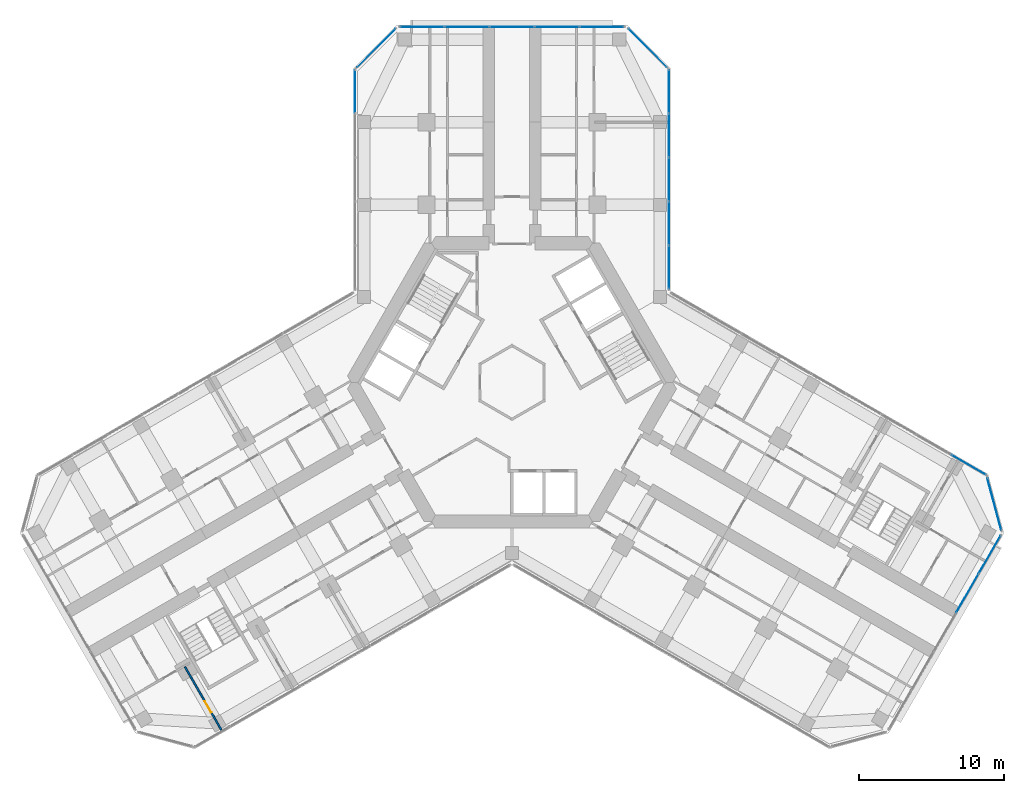
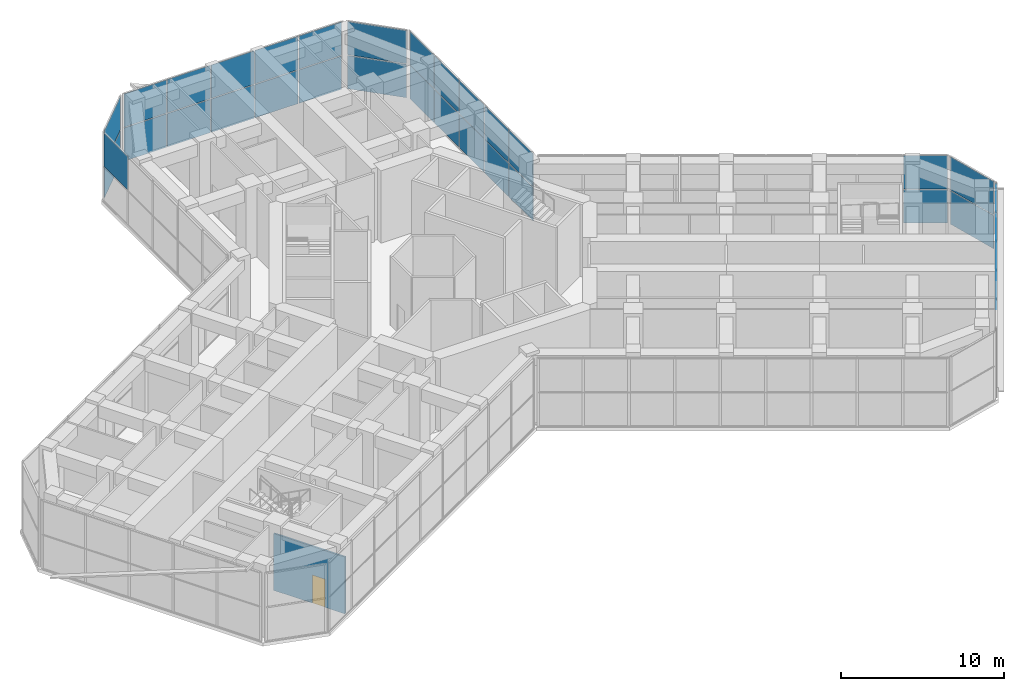
# One storey, part 13 of 20: 33 plates, 1 door, 1 wall, 1 opening, 8 elements without a shape of their own.
"""IFC4 building model written with IfcOpenShell, lengths in metres."""

from ifc_helpers import new_model, si_unit, direction, frame, frame_2d, origin, origin_2d, place, context, subcontext, project, spatial, rectangle, extrude, material, layer, layer_set, type_object, element, fill, aggregate, save


model = new_model("IFC4")

# Units and contexts
model_context = context("Model", 3, precision=1e-05, world=origin(), true_north=direction((0.0, 1.0)))
body_context = subcontext(model_context, "Body", "Model", "MODEL_VIEW")
ifc_project = project(units=[si_unit("LENGTHUNIT", "METRE"), si_unit("AREAUNIT", "SQUARE_METRE"), si_unit("VOLUMEUNIT", "CUBIC_METRE"), si_unit("PLANEANGLEUNIT", "RADIAN"), si_unit("MASSUNIT", "GRAM", prefix="KILO")], contexts=[model_context])

# Site, building, storey
site_placement = place(None, origin())
site = spatial("IfcSite", under=ifc_project, at=site_placement, CompositionType="ELEMENT")
building_placement = place(site_placement, origin())
building = spatial("IfcBuilding", under=site, at=building_placement, Name="Kosmar Iwan School Tower", CompositionType="ELEMENT")
storey_placement = place(building_placement, frame((0.0, 0.0, 152.60009765625)))
storey = spatial("IfcBuildingStorey", under=building, at=storey_placement, Name="L38", CompositionType="ELEMENT", Elevation=152.60009765625)

# Curtain wall, plates
ifc_material_1 = material(Name="Dark glass in black aluminium frame", Category="aluminium")
curtain_wall_type_1 = type_object("IfcCurtainWallType", Name="Tower curtain wall dark glass", PredefinedType="USERDEFINED", material=ifc_material_1)
curtain_wall_1_placement = place(storey_placement, origin())
curtain_wall_1 = element("IfcCurtainWall", 1, at=curtain_wall_1_placement, inside=storey, type_object=curtain_wall_type_1, Name="Curtain wall L38-F03", ObjectType="UNITISED CURTAIN WALL", PredefinedType="USERDEFINED")
ifc_material_2 = material(Name="Dark glass", Category="glass")
ifc_layer_1 = layer(ifc_material_2, 0.028076171875)
ifc_layer_set_1 = layer_set([ifc_layer_1], Name="Dark glass panel 28")
plate_type = type_object("IfcPlateType", Name="Dark glass panel 28", PredefinedType="CURTAIN_PANEL", material=ifc_layer_set_1)
plate_1_placement = place(storey_placement, frame((31.40576171875, -14.553466796875, 0.06005859375), z_axis=(0.0, 0.0, 1.0), x_axis=(0.499999997325, 0.866025405329, 0.0)))
plate_1 = element("IfcPlate", 2, at=plate_1_placement, type_object=plate_type, Name="CW1 panel 4.1", PredefinedType="CURTAIN_PANEL", context=body_context, shape_type="SweptSolid", body=[
    extrude(rectangle(XDim=3.039306640625, YDim=0.028076171875, at=origin_2d()), origin(), (0.0, 0.0, 1.0), 2.485107421875),
])
plate_2_placement = place(storey_placement, frame((31.40576171875, -14.553466796875, 2.60498046875), z_axis=(0.0, 0.0, 1.0), x_axis=(0.499999997325, 0.866025405329, 0.0)))
plate_2 = element("IfcPlate", 3, at=plate_2_placement, type_object=plate_type, Name="CW1 panel 4.2", PredefinedType="CURTAIN_PANEL", context=body_context, shape_type="SweptSolid", body=[
    extrude(rectangle(XDim=3.039306640625, YDim=0.028076171875, at=origin_2d()), origin(), (0.0, 0.0, 1.0), 2.485107421875),
])
plate_3_placement = place(storey_placement, frame((32.947998046875, -11.88232421875, 0.06005859375), z_axis=(0.0, 0.0, 1.0), x_axis=(0.499999997325, 0.866025405329, 0.0)))
plate_3 = element("IfcPlate", 4, at=plate_3_placement, type_object=plate_type, Name="CW1 panel 5.1", PredefinedType="CURTAIN_PANEL", context=body_context, shape_type="SweptSolid", body=[
    extrude(rectangle(XDim=3.00927734375, YDim=0.028076171875, at=origin_2d()), origin(), (0.0, 0.0, 1.0), 2.485107421875),
])
plate_4_placement = place(storey_placement, frame((32.947998046875, -11.88232421875, 2.60498046875), z_axis=(0.0, 0.0, 1.0), x_axis=(0.499999997325, 0.866025405329, 0.0)))
plate_4 = element("IfcPlate", 5, at=plate_4_placement, type_object=plate_type, Name="CW1 panel 5.2", PredefinedType="CURTAIN_PANEL", context=body_context, shape_type="SweptSolid", body=[
    extrude(rectangle(XDim=3.00927734375, YDim=0.028076171875, at=origin_2d()), origin(), (0.0, 0.0, 1.0), 2.485107421875),
])
aggregate(curtain_wall_1, [plate_1, plate_2, plate_3, plate_4])

ifc_material_3 = material(Name="Dark glass in black aluminium frame", Category="aluminium")
curtain_wall_type_2 = type_object("IfcCurtainWallType", Name="Chamfer curtain wall dark glass", PredefinedType="USERDEFINED", material=ifc_material_3)
curtain_wall_2_placement = place(storey_placement, origin())
curtain_wall_2 = element("IfcCurtainWall", 6, at=curtain_wall_2_placement, inside=storey, type_object=curtain_wall_type_2, Name="Curtain wall L38-F04", ObjectType="FACETED CURTAIN WALL", PredefinedType="USERDEFINED")
plate_5_placement = place(storey_placement, frame((33.269775390625, -8.3984375, 0.06005859375), z_axis=(0.0, 0.0, 1.0), x_axis=(-0.258818861462, 0.965925875495, 0.0)))
plate_5 = element("IfcPlate", 7, at=plate_5_placement, type_object=plate_type, Name="CW2 panel 1.1", PredefinedType="CURTAIN_PANEL", context=body_context, shape_type="SweptSolid", body=[
    extrude(rectangle(XDim=3.718994140625, YDim=0.028076171875, at=origin_2d()), origin(), (0.0, 0.0, 1.0), 2.485107421875),
])
plate_6_placement = place(storey_placement, frame((33.269775390625, -8.3984375, 2.60498046875), z_axis=(0.0, 0.0, 1.0), x_axis=(-0.258818861462, 0.965925875495, 0.0)))
plate_6 = element("IfcPlate", 8, at=plate_6_placement, type_object=plate_type, Name="CW2 panel 1.2", PredefinedType="CURTAIN_PANEL", context=body_context, shape_type="SweptSolid", body=[
    extrude(rectangle(XDim=3.718994140625, YDim=0.028076171875, at=origin_2d()), origin(), (0.0, 0.0, 1.0), 2.485107421875),
])
aggregate(curtain_wall_2, [plate_5, plate_6])

ifc_material_4 = material(Name="Dark glass in black aluminium frame", Category="aluminium")
curtain_wall_type_3 = type_object("IfcCurtainWallType", Name="Winter garden curtain wall", PredefinedType="USERDEFINED", material=ifc_material_4)
curtain_wall_3_placement = place(storey_placement, origin())
curtain_wall_3 = element("IfcCurtainWall", 9, at=curtain_wall_3_placement, inside=storey, type_object=curtain_wall_type_3, Name="Curtain wall L38-F05", ObjectType="WINTER GARDEN CURTAIN WALL", PredefinedType="USERDEFINED")
plate_7_placement = place(storey_placement, frame((31.511474609375, -5.693603515625, 0.06005859375), z_axis=(0.0, 0.0, 1.0), x_axis=(0.866025395189, -0.500000014888, 0.0)))
plate_7 = element("IfcPlate", 10, at=plate_7_placement, type_object=plate_type, Name="CW7 panel 9.1", PredefinedType="CURTAIN_PANEL", context=body_context, shape_type="SweptSolid", body=[
    extrude(rectangle(XDim=2.703369140625, YDim=0.028076171875, at=origin_2d()), origin(), (0.0, 0.0, 1.0), 2.485107421875),
])
plate_8_placement = place(storey_placement, frame((31.511474609375, -5.693603515625, 2.60498046875), z_axis=(0.0, 0.0, 1.0), x_axis=(0.866025395189, -0.500000014888, 0.0)))
plate_8 = element("IfcPlate", 11, at=plate_8_placement, type_object=plate_type, Name="CW7 panel 9.2", PredefinedType="CURTAIN_PANEL", context=body_context, shape_type="SweptSolid", body=[
    extrude(rectangle(XDim=2.703369140625, YDim=0.028076171875, at=origin_2d()), origin(), (0.0, 0.0, 1.0), 2.485107421875),
])
aggregate(curtain_wall_3, [plate_7, plate_8])

curtain_wall_4_placement = place(storey_placement, origin())
curtain_wall_4 = element("IfcCurtainWall", 12, at=curtain_wall_4_placement, inside=storey, type_object=curtain_wall_type_3, Name="Curtain wall L38-F06", ObjectType="WINTER GARDEN CURTAIN WALL", PredefinedType="USERDEFINED")
plate_9_placement = place(storey_placement, frame((10.824951171875, 7.94287109375, 0.06005859375), z_axis=(0.0, 0.0, 1.0), x_axis=(0.0, 1.0, 0.0)))
plate_9 = element("IfcPlate", 13, at=plate_9_placement, type_object=plate_type, Name="CW7 panel 1.1", PredefinedType="CURTAIN_PANEL", context=body_context, shape_type="SweptSolid", body=[
    extrude(rectangle(XDim=2.94775390625, YDim=0.028076171875, at=origin_2d()), origin(), (0.0, 0.0, 1.0), 2.485107421875),
])
plate_10_placement = place(storey_placement, frame((10.824951171875, 7.94287109375, 2.60498046875), z_axis=(0.0, 0.0, 1.0), x_axis=(0.0, 1.0, 0.0)))
plate_10 = element("IfcPlate", 14, at=plate_10_placement, type_object=plate_type, Name="CW7 panel 1.2", PredefinedType="CURTAIN_PANEL", context=body_context, shape_type="SweptSolid", body=[
    extrude(rectangle(XDim=2.94775390625, YDim=0.028076171875, at=origin_2d()), origin(), (0.0, 0.0, 1.0), 2.485107421875),
])
plate_11_placement = place(storey_placement, frame((10.824951171875, 10.9658203125, 0.06005859375), z_axis=(0.0, 0.0, 1.0), x_axis=(0.0, 1.0, 0.0)))
plate_11 = element("IfcPlate", 15, at=plate_11_placement, type_object=plate_type, Name="CW7 panel 2.1", PredefinedType="CURTAIN_PANEL", context=body_context, shape_type="SweptSolid", body=[
    extrude(rectangle(XDim=2.977783203125, YDim=0.028076171875, at=origin_2d()), origin(), (0.0, 0.0, 1.0), 2.485107421875),
])
plate_12_placement = place(storey_placement, frame((10.824951171875, 10.9658203125, 2.60498046875), z_axis=(0.0, 0.0, 1.0), x_axis=(0.0, 1.0, 0.0)))
plate_12 = element("IfcPlate", 16, at=plate_12_placement, type_object=plate_type, Name="CW7 panel 2.2", PredefinedType="CURTAIN_PANEL", context=body_context, shape_type="SweptSolid", body=[
    extrude(rectangle(XDim=2.977783203125, YDim=0.028076171875, at=origin_2d()), origin(), (0.0, 0.0, 1.0), 2.485107421875),
])
plate_13_placement = place(storey_placement, frame((10.824951171875, 14.003662109375, 0.06005859375), z_axis=(0.0, 0.0, 1.0), x_axis=(0.0, 1.0, 0.0)))
plate_13 = element("IfcPlate", 17, at=plate_13_placement, type_object=plate_type, Name="CW7 panel 3.1", PredefinedType="CURTAIN_PANEL", context=body_context, shape_type="SweptSolid", body=[
    extrude(rectangle(XDim=2.977783203125, YDim=0.028076171875, at=origin_2d()), origin(), (0.0, 0.0, 1.0), 2.485107421875),
])
plate_14_placement = place(storey_placement, frame((10.824951171875, 14.003662109375, 2.60498046875), z_axis=(0.0, 0.0, 1.0), x_axis=(0.0, 1.0, 0.0)))
plate_14 = element("IfcPlate", 18, at=plate_14_placement, type_object=plate_type, Name="CW7 panel 3.2", PredefinedType="CURTAIN_PANEL", context=body_context, shape_type="SweptSolid", body=[
    extrude(rectangle(XDim=2.977783203125, YDim=0.028076171875, at=origin_2d()), origin(), (0.0, 0.0, 1.0), 2.485107421875),
])
plate_15_placement = place(storey_placement, frame((10.824951171875, 17.04150390625, 0.06005859375), z_axis=(0.0, 0.0, 1.0), x_axis=(0.0, 1.0, 0.0)))
plate_15 = element("IfcPlate", 19, at=plate_15_placement, type_object=plate_type, Name="CW7 panel 4.1", PredefinedType="CURTAIN_PANEL", context=body_context, shape_type="SweptSolid", body=[
    extrude(rectangle(XDim=2.977783203125, YDim=0.028076171875, at=origin_2d()), origin(), (0.0, 0.0, 1.0), 2.485107421875),
])
plate_16_placement = place(storey_placement, frame((10.824951171875, 17.04150390625, 2.60498046875), z_axis=(0.0, 0.0, 1.0), x_axis=(0.0, 1.0, 0.0)))
plate_16 = element("IfcPlate", 20, at=plate_16_placement, type_object=plate_type, Name="CW7 panel 4.2", PredefinedType="CURTAIN_PANEL", context=body_context, shape_type="SweptSolid", body=[
    extrude(rectangle(XDim=2.977783203125, YDim=0.028076171875, at=origin_2d()), origin(), (0.0, 0.0, 1.0), 2.485107421875),
])
plate_17_placement = place(storey_placement, frame((10.824951171875, 20.064208984375, 0.06005859375), z_axis=(0.0, 0.0, 1.0), x_axis=(0.0, 1.0, 0.0)))
plate_17 = element("IfcPlate", 21, at=plate_17_placement, type_object=plate_type, Name="CW7 panel 5.1", PredefinedType="CURTAIN_PANEL", context=body_context, shape_type="SweptSolid", body=[
    extrude(rectangle(XDim=2.94775390625, YDim=0.028076171875, at=origin_2d()), origin(), (0.0, 0.0, 1.0), 2.485107421875),
])
plate_18_placement = place(storey_placement, frame((10.824951171875, 20.064208984375, 2.60498046875), z_axis=(0.0, 0.0, 1.0), x_axis=(0.0, 1.0, 0.0)))
plate_18 = element("IfcPlate", 22, at=plate_18_placement, type_object=plate_type, Name="CW7 panel 5.2", PredefinedType="CURTAIN_PANEL", context=body_context, shape_type="SweptSolid", body=[
    extrude(rectangle(XDim=2.94775390625, YDim=0.028076171875, at=origin_2d()), origin(), (0.0, 0.0, 1.0), 2.485107421875),
])
aggregate(curtain_wall_4, [plate_9, plate_10, plate_11, plate_12, plate_13, plate_14, plate_15, plate_16, plate_17, plate_18])

curtain_wall_5_placement = place(storey_placement, origin())
curtain_wall_5 = element("IfcCurtainWall", 23, at=curtain_wall_5_placement, inside=storey, type_object=curtain_wall_type_2, Name="Curtain wall L38-F07", ObjectType="FACETED CURTAIN WALL", PredefinedType="USERDEFINED")
plate_19_placement = place(storey_placement, frame((9.361572265625, 23.0615234375, 0.06005859375), z_axis=(0.0, 0.0, 1.0), x_axis=(-0.707106781187, 0.707106781187, 0.0)))
plate_19 = element("IfcPlate", 24, at=plate_19_placement, type_object=plate_type, Name="CW2 panel 1.1", PredefinedType="CURTAIN_PANEL", context=body_context, shape_type="SweptSolid", body=[
    extrude(rectangle(XDim=3.718994140625, YDim=0.028076171875, at=origin_2d()), origin(), (0.0, 0.0, 1.0), 2.485107421875),
])
plate_20_placement = place(storey_placement, frame((9.361572265625, 23.0615234375, 2.60498046875), z_axis=(0.0, 0.0, 1.0), x_axis=(-0.707106781187, 0.707106781187, 0.0)))
plate_20 = element("IfcPlate", 25, at=plate_20_placement, type_object=plate_type, Name="CW2 panel 1.2", PredefinedType="CURTAIN_PANEL", context=body_context, shape_type="SweptSolid", body=[
    extrude(rectangle(XDim=3.718994140625, YDim=0.028076171875, at=origin_2d()), origin(), (0.0, 0.0, 1.0), 2.485107421875),
])
aggregate(curtain_wall_5, [plate_19, plate_20])

curtain_wall_6_placement = place(storey_placement, origin())
curtain_wall_6 = element("IfcCurtainWall", 26, at=curtain_wall_6_placement, inside=storey, type_object=curtain_wall_type_1, Name="Curtain wall L38-F08", ObjectType="UNITISED CURTAIN WALL", PredefinedType="USERDEFINED")
plate_21_placement = place(storey_placement, frame((6.18359375, 24.52490234375, 0.06005859375), z_axis=(0.0, 0.0, 1.0), x_axis=(-1.0, 0.0, 0.0)))
plate_21 = element("IfcPlate", 27, at=plate_21_placement, type_object=plate_type, Name="CW1 panel 1.1", PredefinedType="CURTAIN_PANEL", context=body_context, shape_type="SweptSolid", body=[
    extrude(rectangle(XDim=3.00927734375, YDim=0.028076171875, at=origin_2d()), origin(), (0.0, 0.0, 1.0), 2.485107421875),
])
plate_22_placement = place(storey_placement, frame((6.18359375, 24.52490234375, 2.60498046875), z_axis=(0.0, 0.0, 1.0), x_axis=(-1.0, 0.0, 0.0)))
plate_22 = element("IfcPlate", 28, at=plate_22_placement, type_object=plate_type, Name="CW1 panel 1.2", PredefinedType="CURTAIN_PANEL", context=body_context, shape_type="SweptSolid", body=[
    extrude(rectangle(XDim=3.00927734375, YDim=0.028076171875, at=origin_2d()), origin(), (0.0, 0.0, 1.0), 2.485107421875),
])
plate_23_placement = place(storey_placement, frame((3.099365234375, 24.52490234375, 0.06005859375), z_axis=(0.0, 0.0, 1.0), x_axis=(-1.0, 0.0, 0.0)))
plate_23 = element("IfcPlate", 29, at=plate_23_placement, type_object=plate_type, Name="CW1 panel 2.1", PredefinedType="CURTAIN_PANEL", context=body_context, shape_type="SweptSolid", body=[
    extrude(rectangle(XDim=3.039306640625, YDim=0.028076171875, at=origin_2d()), origin(), (0.0, 0.0, 1.0), 2.485107421875),
])
plate_24_placement = place(storey_placement, frame((3.099365234375, 24.52490234375, 2.60498046875), z_axis=(0.0, 0.0, 1.0), x_axis=(-1.0, 0.0, 0.0)))
plate_24 = element("IfcPlate", 30, at=plate_24_placement, type_object=plate_type, Name="CW1 panel 2.2", PredefinedType="CURTAIN_PANEL", context=body_context, shape_type="SweptSolid", body=[
    extrude(rectangle(XDim=3.039306640625, YDim=0.028076171875, at=origin_2d()), origin(), (0.0, 0.0, 1.0), 2.485107421875),
])
plate_25_placement = place(storey_placement, frame((0.0, 24.52490234375, 0.06005859375), z_axis=(0.0, 0.0, 1.0), x_axis=(-1.0, 0.0, 0.0)))
plate_25 = element("IfcPlate", 31, at=plate_25_placement, type_object=plate_type, Name="CW1 panel 3.1", PredefinedType="CURTAIN_PANEL", context=body_context, shape_type="SweptSolid", body=[
    extrude(rectangle(XDim=3.039306640625, YDim=0.028076171875, at=origin_2d()), origin(), (0.0, 0.0, 1.0), 2.485107421875),
])
plate_26_placement = place(storey_placement, frame((0.0, 24.52490234375, 2.60498046875), z_axis=(0.0, 0.0, 1.0), x_axis=(-1.0, 0.0, 0.0)))
plate_26 = element("IfcPlate", 32, at=plate_26_placement, type_object=plate_type, Name="CW1 panel 3.2", PredefinedType="CURTAIN_PANEL", context=body_context, shape_type="SweptSolid", body=[
    extrude(rectangle(XDim=3.039306640625, YDim=0.028076171875, at=origin_2d()), origin(), (0.0, 0.0, 1.0), 2.485107421875),
])
plate_27_placement = place(storey_placement, frame((-3.099365234375, 24.52490234375, 0.06005859375), z_axis=(0.0, 0.0, 1.0), x_axis=(-1.0, 0.0, 0.0)))
plate_27 = element("IfcPlate", 33, at=plate_27_placement, type_object=plate_type, Name="CW1 panel 4.1", PredefinedType="CURTAIN_PANEL", context=body_context, shape_type="SweptSolid", body=[
    extrude(rectangle(XDim=3.039306640625, YDim=0.028076171875, at=origin_2d()), origin(), (0.0, 0.0, 1.0), 2.485107421875),
])
plate_28_placement = place(storey_placement, frame((-3.099365234375, 24.52490234375, 2.60498046875), z_axis=(0.0, 0.0, 1.0), x_axis=(-1.0, 0.0, 0.0)))
plate_28 = element("IfcPlate", 34, at=plate_28_placement, type_object=plate_type, Name="CW1 panel 4.2", PredefinedType="CURTAIN_PANEL", context=body_context, shape_type="SweptSolid", body=[
    extrude(rectangle(XDim=3.039306640625, YDim=0.028076171875, at=origin_2d()), origin(), (0.0, 0.0, 1.0), 2.485107421875),
])
plate_29_placement = place(storey_placement, frame((-6.18359375, 24.52490234375, 0.06005859375), z_axis=(0.0, 0.0, 1.0), x_axis=(-1.0, 0.0, 0.0)))
plate_29 = element("IfcPlate", 35, at=plate_29_placement, type_object=plate_type, Name="CW1 panel 5.1", PredefinedType="CURTAIN_PANEL", context=body_context, shape_type="SweptSolid", body=[
    extrude(rectangle(XDim=3.00927734375, YDim=0.028076171875, at=origin_2d()), origin(), (0.0, 0.0, 1.0), 2.485107421875),
])
plate_30_placement = place(storey_placement, frame((-6.18359375, 24.52490234375, 2.60498046875), z_axis=(0.0, 0.0, 1.0), x_axis=(-1.0, 0.0, 0.0)))
plate_30 = element("IfcPlate", 36, at=plate_30_placement, type_object=plate_type, Name="CW1 panel 5.2", PredefinedType="CURTAIN_PANEL", context=body_context, shape_type="SweptSolid", body=[
    extrude(rectangle(XDim=3.00927734375, YDim=0.028076171875, at=origin_2d()), origin(), (0.0, 0.0, 1.0), 2.485107421875),
])
aggregate(curtain_wall_6, [plate_21, plate_22, plate_23, plate_24, plate_25, plate_26, plate_27, plate_28, plate_29, plate_30])

curtain_wall_7_placement = place(storey_placement, origin())
curtain_wall_7 = element("IfcCurtainWall", 37, at=curtain_wall_7_placement, inside=storey, type_object=curtain_wall_type_2, Name="Curtain wall L38-F09", ObjectType="FACETED CURTAIN WALL", PredefinedType="USERDEFINED")
plate_31_placement = place(storey_placement, frame((-9.361572265625, 23.0615234375, 0.06005859375), z_axis=(0.0, 0.0, 1.0), x_axis=(-0.707106781187, -0.707106781187, 0.0)))
plate_31 = element("IfcPlate", 38, at=plate_31_placement, type_object=plate_type, Name="CW2 panel 1.1", PredefinedType="CURTAIN_PANEL", context=body_context, shape_type="SweptSolid", body=[
    extrude(rectangle(XDim=3.718994140625, YDim=0.028076171875, at=origin_2d()), origin(), (0.0, 0.0, 1.0), 2.485107421875),
])
plate_32_placement = place(storey_placement, frame((-9.361572265625, 23.0615234375, 2.60498046875), z_axis=(0.0, 0.0, 1.0), x_axis=(-0.707106781187, -0.707106781187, 0.0)))
plate_32 = element("IfcPlate", 39, at=plate_32_placement, type_object=plate_type, Name="CW2 panel 1.2", PredefinedType="CURTAIN_PANEL", context=body_context, shape_type="SweptSolid", body=[
    extrude(rectangle(XDim=3.718994140625, YDim=0.028076171875, at=origin_2d()), origin(), (0.0, 0.0, 1.0), 2.485107421875),
])
aggregate(curtain_wall_7, [plate_31, plate_32])

# Curtain wall, plate
curtain_wall_8_placement = place(storey_placement, origin())
curtain_wall_8 = element("IfcCurtainWall", 40, at=curtain_wall_8_placement, inside=storey, type_object=curtain_wall_type_3, Name="Curtain wall L38-F10", ObjectType="WINTER GARDEN CURTAIN WALL", PredefinedType="USERDEFINED")
plate_33_placement = place(storey_placement, frame((-10.824951171875, 20.064208984375, 2.60498046875), z_axis=(0.0, 0.0, 1.0), x_axis=(0.0, 1.0, 0.0)))
plate_33 = element("IfcPlate", 41, at=plate_33_placement, type_object=plate_type, Name="CW7 panel 5.2", PredefinedType="CURTAIN_PANEL", context=body_context, shape_type="SweptSolid", body=[
    extrude(rectangle(XDim=2.94775390625, YDim=0.028076171875, at=origin_2d()), origin(), (0.0, 0.0, 1.0), 2.485107421875),
])
aggregate(curtain_wall_8, [plate_33])

# Wall, opening, door
ifc_material_5 = material(Name="Gypsum board on steel studs", Category="steel")
ifc_layer_2 = layer(ifc_material_5, 0.1201171875)
ifc_layer_set_2 = layer_set([ifc_layer_2], Name="Dwelling partition 120")
wall_type = type_object("IfcWallType", Name="Dwelling partition 120", PredefinedType="PARTITIONING", material=ifc_layer_set_2)
wall_placement = place(storey_placement, frame((-22.562744140625, -19.6201171875, 0.0), z_axis=(0.0, 0.0, 1.0), x_axis=(0.499982695883, -0.866035394091, 0.0)))
wall = element("IfcWall", 42, at=wall_placement, inside=storey, type_object=wall_type, Name="Partition L38-BL1-TX", PredefinedType="PARTITIONING", context=body_context, shape_type="SweptSolid", body=[
    extrude(rectangle(XDim=5.034912109375, YDim=0.1201171875, at=frame_2d((2.517578125, 0.0))), origin(), (0.0, 0.0, 1.0), 4.25),
])
opening_placement = place(wall_placement, frame((2.739990234375, 0.0, 0.0)))
opening = element("IfcOpeningElement", 43, at=opening_placement, cuts=wall, Name="Opening D2", PredefinedType="OPENING", context=body_context, shape_type="SweptSolid", body=[
    extrude(rectangle(XDim=0.89990234375, YDim=2.10009765625, at=frame_2d((0.449951171875, 1.050048828125))), frame((0.0, 0.072021484375, 0.0), z_axis=(0.0, -1.0, 0.0), x_axis=(1.0, 0.0, 0.0)), (0.0, 0.0, 1.0), 0.14404296875),
])
ifc_material_6 = material(Name="Timber door in timber frame", Category="wood")
door_type = type_object("IfcDoorType", Name="Internal door 900x2100", OperationType="SINGLE_SWING_LEFT", PredefinedType="DOOR", material=ifc_material_6)
door_placement = place(opening_placement, origin())
door = element("IfcDoor", 44, at=door_placement, inside=storey, type_object=door_type, Name="Children's play room door L38-BL1-T1", OperationType="SINGLE_SWING_RIGHT", OverallHeight=2.10009765625, OverallWidth=0.89990234375, PredefinedType="DOOR", context=body_context, shape_type="SweptSolid", body=[
    extrude(rectangle(XDim=0.89990234375, YDim=2.10009765625, at=frame_2d((0.449951171875, 1.050048828125))), frame((0.0, 0.02490234375, 0.0), z_axis=(0.0, -1.0, 0.0), x_axis=(1.0, 0.0, 0.0)), (0.0, 0.0, 1.0), 0.050048828125),
])
fill(opening, door)

save(model, "model.ifc")
